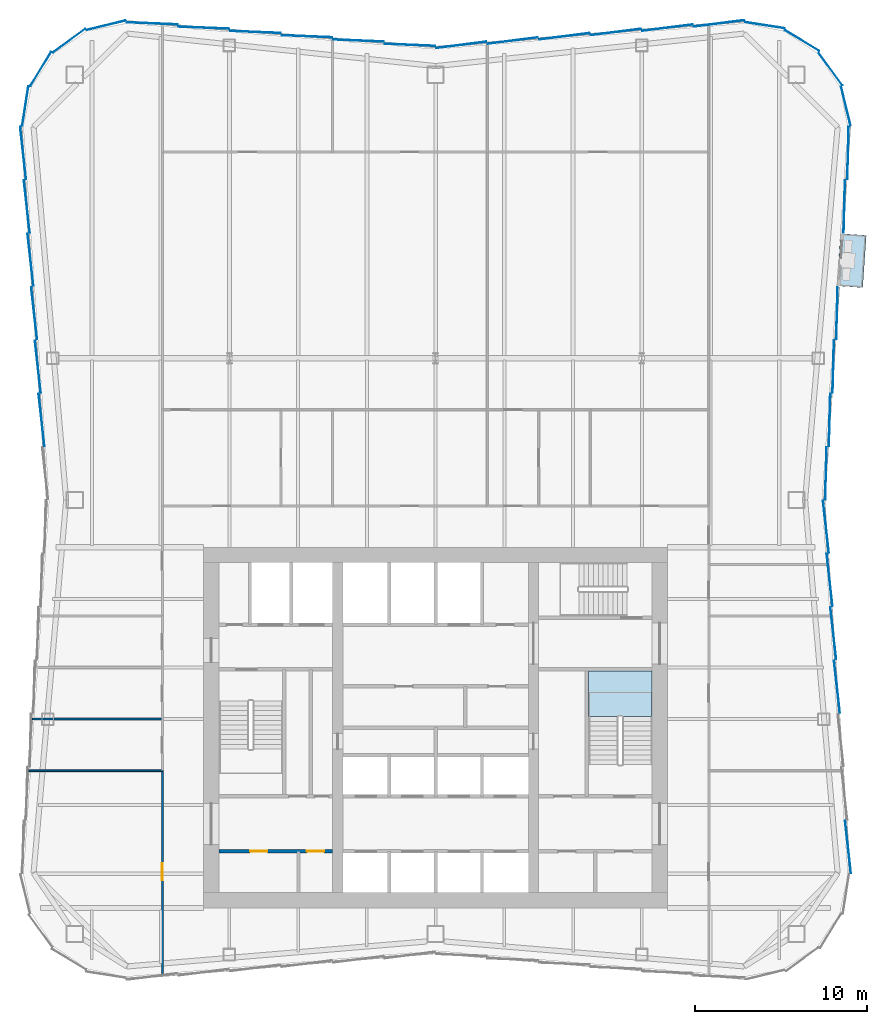
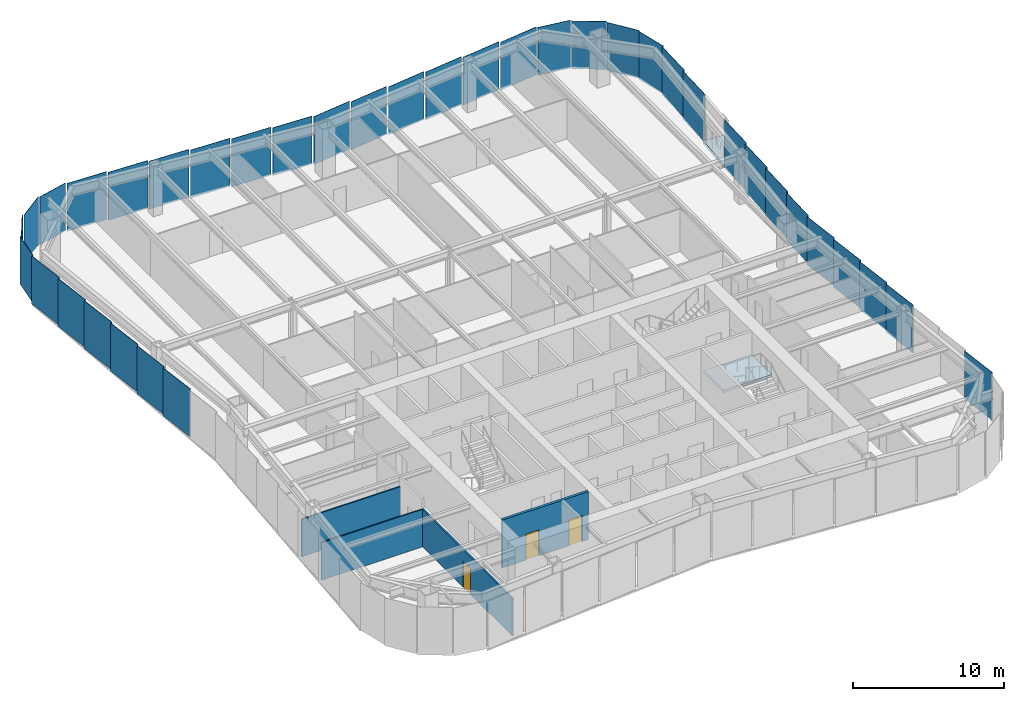
# One storey, part 4 of 10: 37 plates, 4 walls, 3 doors, 2 slabs, 3 openings, 6 elements without a shape of their own.
"""IFC4 building model written with IfcOpenShell, lengths in metres."""

from ifc_helpers import new_model, si_unit, direction, frame, frame_2d, origin, origin_2d, place, context, subcontext, project, spatial, polyline, rectangle, outline, extrude, material, layer, layer_set, type_object, element, fill, aggregate, save


model = new_model("IFC4")

# Units and contexts
model_context = context("Model", 3, precision=1e-05, world=origin(), true_north=direction((0.0, 1.0)))
body_context = subcontext(model_context, "Body", "Model", "MODEL_VIEW")
ifc_project = project(units=[si_unit("LENGTHUNIT", "METRE"), si_unit("AREAUNIT", "SQUARE_METRE"), si_unit("VOLUMEUNIT", "CUBIC_METRE"), si_unit("PLANEANGLEUNIT", "RADIAN"), si_unit("MASSUNIT", "GRAM", prefix="KILO")], contexts=[model_context])

# Site, building, storey
site_placement = place(None, origin())
site = spatial("IfcSite", under=ifc_project, at=site_placement, CompositionType="ELEMENT")
building_placement = place(site_placement, origin())
building = spatial("IfcBuilding", under=site, at=building_placement, Name="Verdant Reach Tower", CompositionType="ELEMENT")
storey_placement = place(building_placement, frame((0.0, 0.0, 186.0)))
storey = spatial("IfcBuildingStorey", under=building, at=storey_placement, Name="L42", CompositionType="ELEMENT", Elevation=186.0)

# Stair, slab
ifc_material_1 = material(Name="Concrete C40/50", Category="concrete")
stair_type = type_object("IfcStairType", Name="CO-STAIR", PredefinedType="HALF_TURN_STAIR", material=ifc_material_1)
stair_placement = place(storey_placement, origin())
stair = element("IfcStair", 1, at=stair_placement, inside=storey, type_object=stair_type, Name="L42 Exit stair 2", PredefinedType="HALF_TURN_STAIR")
ifc_layer_1 = layer(ifc_material_1, 0.199951171875)
ifc_layer_set_1 = layer_set([ifc_layer_1], Name="CO-STAIR-LANDING")
slab_type_1 = type_object("IfcSlabType", Name="CO-STAIR-LANDING", PredefinedType="LANDING", material=ifc_layer_set_1)
slab_1_placement = place(storey_placement, frame((0.0, 0.0, 1.800048828125)))
slab_1 = element("IfcSlab", 2, at=slab_1_placement, type_object=slab_type_1, Name="ST-2 landing 1", PredefinedType="LANDING", context=body_context, shape_type="SweptSolid", body=[
    extrude(outline(polyline([(12.60009765625, 28.64990234375), (12.60009765625, 31.300048828125), (8.89990234375, 31.300048828125), (8.89990234375, 28.64990234375), (12.60009765625, 28.64990234375)])), origin(), (0.0, 0.0, 1.0), 0.199951171875),
])
aggregate(stair, [slab_1])

# Slab
ifc_material_2 = material(Name="Concrete C35/45", Category="concrete")
ifc_layer_2 = layer(ifc_material_2, 0.25)
ifc_layer_set_2 = layer_set([ifc_layer_2], Name="EN-BALCONY SLAB")
slab_type_2 = type_object("IfcSlabType", Name="EN-BALCONY SLAB", PredefinedType="FLOOR", material=ifc_layer_set_2)
slab_2_placement = place(storey_placement, frame((0.0, 0.0, -0.25)))
element("IfcSlab", 3, at=slab_2_placement, inside=storey, type_object=slab_type_2, Name="Balcony slab 1, L42", PredefinedType="FLOOR", context=body_context, shape_type="SweptSolid", body=[
    extrude(outline(polyline([(23.359375, 53.71142578125), (23.569091796875, 56.752685546875), (25.065673828125, 56.649658203125), (24.85595703125, 53.6083984375), (23.359375, 53.71142578125)])), origin(), (0.0, 0.0, 1.0), 0.25),
])

# Curtain wall, plates
ifc_material_3 = material(Name="Anodised aluminium", Category="aluminium")
curtain_wall_type = type_object("IfcCurtainWallType", Name="EN-CW SYSTEM Z3", PredefinedType="NOTDEFINED", material=ifc_material_3)
curtain_wall_1_placement = place(storey_placement, origin())
curtain_wall_1 = element("IfcCurtainWall", 4, at=curtain_wall_1_placement, inside=storey, type_object=curtain_wall_type, Name="Curtain wall east, L42", PredefinedType="NOTDEFINED")
ifc_material_4 = material(Name="Tinted glass with champagne spandrel", Category="glass")
ifc_layer_3 = layer(ifc_material_4, 0.031982421875)
ifc_layer_set_3 = layer_set([ifc_layer_3], Name="EN-PANEL CHAMPAGNE")
plate_type_1 = type_object("IfcPlateType", Name="EN-PANEL CHAMPAGNE", PredefinedType="CURTAIN_PANEL", material=ifc_layer_set_3)
plate_1_placement = place(storey_placement, frame((24.001708984375, 21.053955078125, -0.22412109375), z_axis=(0.0, 0.0, 1.0), x_axis=(-0.110214229533, 0.993907854687, 0.0)))
plate_1 = element("IfcPlate", 5, at=plate_1_placement, type_object=plate_type_1, Name="Glass panel east face part 1 1.1, L42", PredefinedType="CURTAIN_PANEL", context=body_context, shape_type="SweptSolid", body=[
    extrude(rectangle(XDim=3.06689453125, YDim=0.031982421875, at=origin_2d()), origin(), (0.0, 0.0, 1.0), 3.8740234375),
])
plate_2_placement = place(storey_placement, frame((22.716064453125, 39.7001953125, -0.22412109375), z_axis=(0.0, 0.0, 1.0), x_axis=(-0.110600785385, 0.993864913493, 0.0)))
plate_2 = element("IfcPlate", 6, at=plate_2_placement, type_object=plate_type_1, Name="Glass panel east face part 1 7.1, L42", PredefinedType="CURTAIN_PANEL", context=body_context, shape_type="SweptSolid", body=[
    extrude(rectangle(XDim=3.044921875, YDim=0.031982421875, at=origin_2d()), origin(), (0.0, 0.0, 1.0), 3.8740234375),
])
plate_3_placement = place(storey_placement, frame((22.716064453125, 42.7998046875, -0.22412109375), z_axis=(0.0, 0.0, 1.0), x_axis=(0.027048420339, 0.999634124546, 0.0)))
plate_3 = element("IfcPlate", 7, at=plate_3_placement, type_object=plate_type_1, Name="Glass panel east face part 2 1.1, L42", PredefinedType="CURTAIN_PANEL", context=body_context, shape_type="SweptSolid", body=[
    extrude(rectangle(XDim=3.044921875, YDim=0.031982421875, at=origin_2d()), origin(), (0.0, 0.0, 1.0), 3.8740234375),
])
plate_4_placement = place(storey_placement, frame((22.93017578125, 45.9033203125, -0.22412109375), z_axis=(0.0, 0.0, 1.0), x_axis=(0.026965318308, 0.999636369691, 0.0)))
plate_4 = element("IfcPlate", 8, at=plate_4_placement, type_object=plate_type_1, Name="Glass panel east face part 2 2.1, L42", PredefinedType="CURTAIN_PANEL", context=body_context, shape_type="SweptSolid", body=[
    extrude(rectangle(XDim=3.052490234375, YDim=0.031982421875, at=origin_2d()), origin(), (0.0, 0.0, 1.0), 3.8740234375),
])

# Curtain wall, plate
curtain_wall_2_placement = place(storey_placement, origin())
curtain_wall_2 = element("IfcCurtainWall", 9, at=curtain_wall_2_placement, inside=storey, type_object=curtain_wall_type, Name="Curtain wall north-east corner, L42", PredefinedType="NOTDEFINED")
plate_5_placement = place(storey_placement, frame((23.87646484375, 64.17236328125, -0.22412109375), z_axis=(0.0, 0.0, 1.0), x_axis=(-0.23644624331, 0.97164457186, 0.0)))
plate_5 = element("IfcPlate", 10, at=plate_5_placement, type_object=plate_type_1, Name="Glass panel north-east corner 1.1, L42", PredefinedType="CURTAIN_PANEL", context=body_context, shape_type="SweptSolid", body=[
    extrude(rectangle(XDim=2.314697265625, YDim=0.031982421875, at=origin_2d()), origin(), (0.0, 0.0, 1.0), 3.8740234375),
])

# Curtain wall, plates
curtain_wall_3_placement = place(storey_placement, origin())
curtain_wall_3 = element("IfcCurtainWall", 11, at=curtain_wall_3_placement, inside=storey, type_object=curtain_wall_type, Name="Curtain wall north, L42", PredefinedType="NOTDEFINED")
plate_6_placement = place(storey_placement, frame((4.490966796875, 67.983642578125, -0.22412109375), z_axis=(0.0, 0.0, 1.0), x_axis=(-0.992194034542, -0.124703639961, 0.0)))
plate_6 = element("IfcPlate", 12, at=plate_6_placement, type_object=plate_type_1, Name="Glass panel north face part 1 5.1, L42", PredefinedType="CURTAIN_PANEL", context=body_context, shape_type="SweptSolid", body=[
    extrude(rectangle(XDim=2.948486328125, YDim=0.031982421875, at=origin_2d()), origin(), (0.0, 0.0, 1.0), 3.8740234375),
])
plate_7_placement = place(storey_placement, frame((1.495361328125, 67.73388671875, -0.22412109375), z_axis=(0.0, 0.0, 1.0), x_axis=(-0.992178382939, -0.124828107529, 0.0)))
plate_7 = element("IfcPlate", 13, at=plate_7_placement, type_object=plate_type_1, Name="Glass panel north face part 1 6.1, L42", PredefinedType="CURTAIN_PANEL", context=body_context, shape_type="SweptSolid", body=[
    extrude(rectangle(XDim=2.939453125, YDim=0.031982421875, at=origin_2d()), origin(), (0.0, 0.0, 1.0), 3.8740234375),
])
plate_8_placement = place(storey_placement, frame((-16.49853515625, 68.983642578125, -0.22412109375), z_axis=(0.0, 0.0, 1.0), x_axis=(-0.999163623568, 0.040890748818, 0.0)))
plate_8 = element("IfcPlate", 14, at=plate_8_placement, type_object=plate_type_1, Name="Glass panel north face part 2 6.1, L42", PredefinedType="CURTAIN_PANEL", context=body_context, shape_type="SweptSolid", body=[
    extrude(rectangle(XDim=2.963623046875, YDim=0.031982421875, at=origin_2d()), origin(), (0.0, 0.0, 1.0), 3.8740234375),
])

curtain_wall_4_placement = place(storey_placement, origin())
curtain_wall_4 = element("IfcCurtainWall", 15, at=curtain_wall_4_placement, inside=storey, type_object=curtain_wall_type, Name="Curtain wall west, L42", PredefinedType="NOTDEFINED")
plate_9_placement = place(storey_placement, frame((-23.572998046875, 55.224609375, -0.22412109375), z_axis=(0.0, 0.0, 1.0), x_axis=(0.110518162674, -0.993874104562, 0.0)))
plate_9 = element("IfcPlate", 16, at=plate_9_placement, type_object=plate_type_1, Name="Glass panel west face part 1 3.1, L42", PredefinedType="CURTAIN_PANEL", context=body_context, shape_type="SweptSolid", body=[
    extrude(rectangle(XDim=3.052490234375, YDim=0.031982421875, at=origin_2d()), origin(), (0.0, 0.0, 1.0), 3.8740234375),
])
plate_10_placement = place(storey_placement, frame((-23.358642578125, 52.117431640625, -0.22412109375), z_axis=(0.0, 0.0, 1.0), x_axis=(0.110518162674, -0.993874104562, 0.0)))
plate_10 = element("IfcPlate", 17, at=plate_10_placement, type_object=plate_type_1, Name="Glass panel west face part 1 4.1, L42", PredefinedType="CURTAIN_PANEL", context=body_context, shape_type="SweptSolid", body=[
    extrude(rectangle(XDim=3.052490234375, YDim=0.031982421875, at=origin_2d()), origin(), (0.0, 0.0, 1.0), 3.8740234375),
])
plate_11_placement = place(storey_placement, frame((-23.14453125, 49.01025390625, -0.22412109375), z_axis=(0.0, 0.0, 1.0), x_axis=(0.110518162674, -0.993874104562, 0.0)))
plate_11 = element("IfcPlate", 18, at=plate_11_placement, type_object=plate_type_1, Name="Glass panel west face part 1 5.1, L42", PredefinedType="CURTAIN_PANEL", context=body_context, shape_type="SweptSolid", body=[
    extrude(rectangle(XDim=3.052490234375, YDim=0.031982421875, at=origin_2d()), origin(), (0.0, 0.0, 1.0), 3.8740234375),
])

# Plate
ifc_material_5 = material(Name="Tinted glass with copper spandrel", Category="glass")
ifc_layer_4 = layer(ifc_material_5, 0.031982421875)
ifc_layer_set_4 = layer_set([ifc_layer_4], Name="EN-PANEL COPPER")
plate_type_2 = type_object("IfcPlateType", Name="EN-PANEL COPPER", PredefinedType="CURTAIN_PANEL", material=ifc_layer_set_4)
plate_12_placement = place(storey_placement, frame((23.14453125, 49.01025390625, -0.22412109375), z_axis=(0.0, 0.0, 1.0), x_axis=(0.026965318308, 0.999636369691, 0.0)))
plate_12 = element("IfcPlate", 19, at=plate_12_placement, type_object=plate_type_2, Name="Glass panel east face part 2 3.1, L42", PredefinedType="CURTAIN_PANEL", context=body_context, shape_type="SweptSolid", body=[
    extrude(rectangle(XDim=3.052490234375, YDim=0.031982421875, at=origin_2d()), origin(), (0.0, 0.0, 1.0), 3.8740234375),
])

plate_13_placement = place(storey_placement, frame((23.358642578125, 52.117431640625, -0.22412109375), z_axis=(0.0, 0.0, 1.0), x_axis=(0.026965318308, 0.999636369691, 0.0)))
plate_13 = element("IfcPlate", 20, at=plate_13_placement, type_object=plate_type_2, Name="Glass panel east face part 2 4.1, L42", PredefinedType="CURTAIN_PANEL", context=body_context, shape_type="SweptSolid", body=[
    extrude(rectangle(XDim=3.052490234375, YDim=0.031982421875, at=origin_2d()), origin(), (0.0, 0.0, 1.0), 3.8740234375),
])

plate_14_placement = place(storey_placement, frame((22.98193359375, 66.328857421875, -0.22412109375), z_axis=(0.0, 0.0, 1.0), x_axis=(-0.589926747542, 0.807456768214, 0.0)))
plate_14 = element("IfcPlate", 21, at=plate_14_placement, type_object=plate_type_2, Name="Glass panel north-east corner 2.1, L42", PredefinedType="CURTAIN_PANEL", context=body_context, shape_type="SweptSolid", body=[
    extrude(rectangle(XDim=2.321533203125, YDim=0.031982421875, at=origin_2d()), origin(), (0.0, 0.0, 1.0), 3.8740234375),
])

plate_15_placement = place(storey_placement, frame((21.328857421875, 67.98193359375, -0.22412109375), z_axis=(0.0, 0.0, 1.0), x_axis=(-0.853988701636, 0.520291550457, 0.0)))
plate_15 = element("IfcPlate", 22, at=plate_15_placement, type_object=plate_type_2, Name="Glass panel north-east corner 3.1, L42", PredefinedType="CURTAIN_PANEL", context=body_context, shape_type="SweptSolid", body=[
    extrude(rectangle(XDim=2.321533203125, YDim=0.031982421875, at=origin_2d()), origin(), (0.0, 0.0, 1.0), 3.8740234375),
])

plate_16_placement = place(storey_placement, frame((16.49853515625, 68.983642578125, -0.22412109375), z_axis=(0.0, 0.0, 1.0), x_axis=(-0.992237766434, -0.124355196363, 0.0)))
plate_16 = element("IfcPlate", 23, at=plate_16_placement, type_object=plate_type_2, Name="Glass panel north face part 1 1.1, L42", PredefinedType="CURTAIN_PANEL", context=body_context, shape_type="SweptSolid", body=[
    extrude(rectangle(XDim=2.963623046875, YDim=0.031982421875, at=origin_2d()), origin(), (0.0, 0.0, 1.0), 3.8740234375),
])

plate_17_placement = place(storey_placement, frame((-1.495361328125, 67.73388671875, -0.22412109375), z_axis=(0.0, 0.0, 1.0), x_axis=(-0.999144020525, 0.041366970501, 0.0)))
plate_17 = element("IfcPlate", 24, at=plate_17_placement, type_object=plate_type_2, Name="Glass panel north face part 2 1.1, L42", PredefinedType="CURTAIN_PANEL", context=body_context, shape_type="SweptSolid", body=[
    extrude(rectangle(XDim=2.939453125, YDim=0.031982421875, at=origin_2d()), origin(), (0.0, 0.0, 1.0), 3.8740234375),
])

plate_18_placement = place(storey_placement, frame((-4.490966796875, 67.983642578125, -0.22412109375), z_axis=(0.0, 0.0, 1.0), x_axis=(-0.999149202059, 0.041241629766, 0.0)))
plate_18 = element("IfcPlate", 25, at=plate_18_placement, type_object=plate_type_2, Name="Glass panel north face part 2 2.1, L42", PredefinedType="CURTAIN_PANEL", context=body_context, shape_type="SweptSolid", body=[
    extrude(rectangle(XDim=2.948486328125, YDim=0.031982421875, at=origin_2d()), origin(), (0.0, 0.0, 1.0), 3.8740234375),
])

plate_19_placement = place(storey_placement, frame((-7.490966796875, 68.233642578125, -0.22412109375), z_axis=(0.0, 0.0, 1.0), x_axis=(-0.999149202059, 0.041241629766, 0.0)))
plate_19 = element("IfcPlate", 26, at=plate_19_placement, type_object=plate_type_2, Name="Glass panel north face part 2 3.1, L42", PredefinedType="CURTAIN_PANEL", context=body_context, shape_type="SweptSolid", body=[
    extrude(rectangle(XDim=2.948486328125, YDim=0.031982421875, at=origin_2d()), origin(), (0.0, 0.0, 1.0), 3.8740234375),
])

# Curtain wall, plate
curtain_wall_5_placement = place(storey_placement, origin())
curtain_wall_5 = element("IfcCurtainWall", 27, at=curtain_wall_5_placement, inside=storey, type_object=curtain_wall_type, Name="Curtain wall north-west corner, L42", PredefinedType="NOTDEFINED")
plate_20_placement = place(storey_placement, frame((-19.171875, 68.87646484375, -0.22412109375), z_axis=(0.0, 0.0, 1.0), x_axis=(-0.971655117833, -0.236402901821, 0.0)))
plate_20 = element("IfcPlate", 28, at=plate_20_placement, type_object=plate_type_2, Name="Glass panel north-west corner 1.1, L42", PredefinedType="CURTAIN_PANEL", context=body_context, shape_type="SweptSolid", body=[
    extrude(rectangle(XDim=2.3154296875, YDim=0.031982421875, at=origin_2d()), origin(), (0.0, 0.0, 1.0), 3.8740234375),
])

# Plate
plate_21_placement = place(storey_placement, frame((-22.93017578125, 45.9033203125, -0.22412109375), z_axis=(0.0, 0.0, 1.0), x_axis=(0.110518162674, -0.993874104562, 0.0)))
plate_21 = element("IfcPlate", 29, at=plate_21_placement, type_object=plate_type_2, Name="Glass panel west face part 1 6.1, L42", PredefinedType="CURTAIN_PANEL", context=body_context, shape_type="SweptSolid", body=[
    extrude(rectangle(XDim=3.052490234375, YDim=0.031982421875, at=origin_2d()), origin(), (0.0, 0.0, 1.0), 3.8740234375),
])

ifc_material_6 = material(Name="Tinted glass with dark bronze spandrel", Category="glass")
ifc_layer_5 = layer(ifc_material_6, 0.031982421875)
ifc_layer_set_5 = layer_set([ifc_layer_5], Name="EN-PANEL DARK")
plate_type_3 = type_object("IfcPlateType", Name="EN-PANEL DARK", PredefinedType="CURTAIN_PANEL", material=ifc_layer_set_5)
plate_22_placement = place(storey_placement, frame((23.358642578125, 30.382568359375, -0.22412109375), z_axis=(0.0, 0.0, 1.0), x_axis=(-0.110518162674, 0.993874104562, 0.0)))
plate_22 = element("IfcPlate", 30, at=plate_22_placement, type_object=plate_type_3, Name="Glass panel east face part 1 4.1, L42", PredefinedType="CURTAIN_PANEL", context=body_context, shape_type="SweptSolid", body=[
    extrude(rectangle(XDim=3.052490234375, YDim=0.031982421875, at=origin_2d()), origin(), (0.0, 0.0, 1.0), 3.8740234375),
])

plate_23_placement = place(storey_placement, frame((23.14453125, 33.48974609375, -0.22412109375), z_axis=(0.0, 0.0, 1.0), x_axis=(-0.110518162674, 0.993874104562, 0.0)))
plate_23 = element("IfcPlate", 31, at=plate_23_placement, type_object=plate_type_3, Name="Glass panel east face part 1 5.1, L42", PredefinedType="CURTAIN_PANEL", context=body_context, shape_type="SweptSolid", body=[
    extrude(rectangle(XDim=3.052490234375, YDim=0.031982421875, at=origin_2d()), origin(), (0.0, 0.0, 1.0), 3.8740234375),
])

plate_24_placement = place(storey_placement, frame((22.93017578125, 36.5966796875, -0.22412109375), z_axis=(0.0, 0.0, 1.0), x_axis=(-0.110518162674, 0.993874104562, 0.0)))
plate_24 = element("IfcPlate", 32, at=plate_24_placement, type_object=plate_type_3, Name="Glass panel east face part 1 6.1, L42", PredefinedType="CURTAIN_PANEL", context=body_context, shape_type="SweptSolid", body=[
    extrude(rectangle(XDim=3.052490234375, YDim=0.031982421875, at=origin_2d()), origin(), (0.0, 0.0, 1.0), 3.8740234375),
])

plate_25_placement = place(storey_placement, frame((23.787353515625, 58.331787109375, -0.22412109375), z_axis=(0.0, 0.0, 1.0), x_axis=(0.026965318308, 0.999636369691, 0.0)))
plate_25 = element("IfcPlate", 33, at=plate_25_placement, type_object=plate_type_3, Name="Glass panel east face part 2 6.1, L42", PredefinedType="CURTAIN_PANEL", context=body_context, shape_type="SweptSolid", body=[
    extrude(rectangle(XDim=3.052490234375, YDim=0.031982421875, at=origin_2d()), origin(), (0.0, 0.0, 1.0), 3.8740234375),
])

plate_26_placement = place(storey_placement, frame((24.001708984375, 61.446044921875, -0.22412109375), z_axis=(0.0, 0.0, 1.0), x_axis=(0.026659626966, 0.999644568979, 0.0)))
plate_26 = element("IfcPlate", 34, at=plate_26_placement, type_object=plate_type_3, Name="Glass panel east face part 2 7.1, L42", PredefinedType="CURTAIN_PANEL", context=body_context, shape_type="SweptSolid", body=[
    extrude(rectangle(XDim=3.06689453125, YDim=0.031982421875, at=origin_2d()), origin(), (0.0, 0.0, 1.0), 3.8740234375),
])

aggregate(curtain_wall_1, [plate_1, plate_22, plate_23, plate_24, plate_2, plate_3, plate_4, plate_12, plate_13, plate_25, plate_26])

plate_27_placement = place(storey_placement, frame((19.171875, 68.87646484375, -0.22412109375), z_axis=(0.0, 0.0, 1.0), x_axis=(-0.988029071555, 0.154267798848, 0.0)))
plate_27 = element("IfcPlate", 35, at=plate_27_placement, type_object=plate_type_3, Name="Glass panel north-east corner 4.1, L42", PredefinedType="CURTAIN_PANEL", context=body_context, shape_type="SweptSolid", body=[
    extrude(rectangle(XDim=2.3154296875, YDim=0.031982421875, at=origin_2d()), origin(), (0.0, 0.0, 1.0), 3.8740234375),
])

aggregate(curtain_wall_2, [plate_5, plate_14, plate_15, plate_27])

plate_28_placement = place(storey_placement, frame((13.490966796875, 68.733642578125, -0.22412109375), z_axis=(0.0, 0.0, 1.0), x_axis=(-0.992194034542, -0.124703639961, 0.0)))
plate_28 = element("IfcPlate", 36, at=plate_28_placement, type_object=plate_type_3, Name="Glass panel north face part 1 2.1, L42", PredefinedType="CURTAIN_PANEL", context=body_context, shape_type="SweptSolid", body=[
    extrude(rectangle(XDim=2.948486328125, YDim=0.031982421875, at=origin_2d()), origin(), (0.0, 0.0, 1.0), 3.8740234375),
])

plate_29_placement = place(storey_placement, frame((10.490966796875, 68.483642578125, -0.22412109375), z_axis=(0.0, 0.0, 1.0), x_axis=(-0.992194034542, -0.124703639961, 0.0)))
plate_29 = element("IfcPlate", 37, at=plate_29_placement, type_object=plate_type_3, Name="Glass panel north face part 1 3.1, L42", PredefinedType="CURTAIN_PANEL", context=body_context, shape_type="SweptSolid", body=[
    extrude(rectangle(XDim=2.948486328125, YDim=0.031982421875, at=origin_2d()), origin(), (0.0, 0.0, 1.0), 3.8740234375),
])

plate_30_placement = place(storey_placement, frame((7.490966796875, 68.233642578125, -0.22412109375), z_axis=(0.0, 0.0, 1.0), x_axis=(-0.992194034542, -0.124703639961, 0.0)))
plate_30 = element("IfcPlate", 38, at=plate_30_placement, type_object=plate_type_3, Name="Glass panel north face part 1 4.1, L42", PredefinedType="CURTAIN_PANEL", context=body_context, shape_type="SweptSolid", body=[
    extrude(rectangle(XDim=2.948486328125, YDim=0.031982421875, at=origin_2d()), origin(), (0.0, 0.0, 1.0), 3.8740234375),
])

plate_31_placement = place(storey_placement, frame((-10.490966796875, 68.483642578125, -0.22412109375), z_axis=(0.0, 0.0, 1.0), x_axis=(-0.999149202059, 0.041241629766, 0.0)))
plate_31 = element("IfcPlate", 39, at=plate_31_placement, type_object=plate_type_3, Name="Glass panel north face part 2 4.1, L42", PredefinedType="CURTAIN_PANEL", context=body_context, shape_type="SweptSolid", body=[
    extrude(rectangle(XDim=2.948486328125, YDim=0.031982421875, at=origin_2d()), origin(), (0.0, 0.0, 1.0), 3.8740234375),
])

plate_32_placement = place(storey_placement, frame((-13.490966796875, 68.733642578125, -0.22412109375), z_axis=(0.0, 0.0, 1.0), x_axis=(-0.999149202059, 0.041241629766, 0.0)))
plate_32 = element("IfcPlate", 40, at=plate_32_placement, type_object=plate_type_3, Name="Glass panel north face part 2 5.1, L42", PredefinedType="CURTAIN_PANEL", context=body_context, shape_type="SweptSolid", body=[
    extrude(rectangle(XDim=2.948486328125, YDim=0.031982421875, at=origin_2d()), origin(), (0.0, 0.0, 1.0), 3.8740234375),
])

aggregate(curtain_wall_3, [plate_16, plate_28, plate_29, plate_30, plate_6, plate_7, plate_17, plate_18, plate_19, plate_31, plate_32, plate_8])

plate_33_placement = place(storey_placement, frame((-21.328857421875, 67.98193359375, -0.22412109375), z_axis=(0.0, 0.0, 1.0), x_axis=(-0.807456768214, -0.589926747542, 0.0)))
plate_33 = element("IfcPlate", 41, at=plate_33_placement, type_object=plate_type_3, Name="Glass panel north-west corner 2.1, L42", PredefinedType="CURTAIN_PANEL", context=body_context, shape_type="SweptSolid", body=[
    extrude(rectangle(XDim=2.321533203125, YDim=0.031982421875, at=origin_2d()), origin(), (0.0, 0.0, 1.0), 3.8740234375),
])

plate_34_placement = place(storey_placement, frame((-22.98193359375, 66.328857421875, -0.22412109375), z_axis=(0.0, 0.0, 1.0), x_axis=(-0.520291550457, -0.853988701636, 0.0)))
plate_34 = element("IfcPlate", 42, at=plate_34_placement, type_object=plate_type_3, Name="Glass panel north-west corner 3.1, L42", PredefinedType="CURTAIN_PANEL", context=body_context, shape_type="SweptSolid", body=[
    extrude(rectangle(XDim=2.321533203125, YDim=0.031982421875, at=origin_2d()), origin(), (0.0, 0.0, 1.0), 3.8740234375),
])

plate_35_placement = place(storey_placement, frame((-23.87646484375, 64.17236328125, -0.22412109375), z_axis=(0.0, 0.0, 1.0), x_axis=(-0.154311870796, -0.988022189291, 0.0)))
plate_35 = element("IfcPlate", 43, at=plate_35_placement, type_object=plate_type_3, Name="Glass panel north-west corner 4.1, L42", PredefinedType="CURTAIN_PANEL", context=body_context, shape_type="SweptSolid", body=[
    extrude(rectangle(XDim=2.314697265625, YDim=0.031982421875, at=origin_2d()), origin(), (0.0, 0.0, 1.0), 3.8740234375),
])

aggregate(curtain_wall_5, [plate_20, plate_33, plate_34, plate_35])

plate_36_placement = place(storey_placement, frame((-24.001708984375, 61.446044921875, -0.22412109375), z_axis=(0.0, 0.0, 1.0), x_axis=(0.110214229533, -0.993907854687, 0.0)))
plate_36 = element("IfcPlate", 44, at=plate_36_placement, type_object=plate_type_3, Name="Glass panel west face part 1 1.1, L42", PredefinedType="CURTAIN_PANEL", context=body_context, shape_type="SweptSolid", body=[
    extrude(rectangle(XDim=3.06689453125, YDim=0.031982421875, at=origin_2d()), origin(), (0.0, 0.0, 1.0), 3.8740234375),
])

plate_37_placement = place(storey_placement, frame((-23.787353515625, 58.331787109375, -0.22412109375), z_axis=(0.0, 0.0, 1.0), x_axis=(0.110518162674, -0.993874104562, 0.0)))
plate_37 = element("IfcPlate", 45, at=plate_37_placement, type_object=plate_type_3, Name="Glass panel west face part 1 2.1, L42", PredefinedType="CURTAIN_PANEL", context=body_context, shape_type="SweptSolid", body=[
    extrude(rectangle(XDim=3.052490234375, YDim=0.031982421875, at=origin_2d()), origin(), (0.0, 0.0, 1.0), 3.8740234375),
])

aggregate(curtain_wall_4, [plate_36, plate_37, plate_9, plate_10, plate_11, plate_21])

# Wall, openings, doors
ifc_material_7 = material(Name="Gypsum board on steel studs", Category="steel")
ifc_layer_6 = layer(ifc_material_7, 0.199951171875)
ifc_layer_set_6 = layer_set([ifc_layer_6], Name="CO-WALL-ROOM")
wall_type_1 = type_object("IfcWallType", Name="CO-WALL-ROOM", PredefinedType="PARTITIONING", material=ifc_layer_set_6)
wall_1_placement = place(storey_placement, frame((-12.60009765625, 20.800048828125, 0.0), z_axis=(0.0, 0.0, 1.0), x_axis=(1.0, 0.0, 0.0)))
wall_1 = element("IfcWall", 46, at=wall_1_placement, inside=storey, type_object=wall_type_1, Name="Core partition, L42", PredefinedType="PARTITIONING", context=body_context, shape_type="SweptSolid", body=[
    extrude(rectangle(XDim=6.60009765625, YDim=0.199951171875, at=frame_2d((3.300048828125, 0.0))), origin(), (0.0, 0.0, 1.0), 3.8701171875),
])
opening_1_placement = place(wall_1_placement, frame((1.81005859375, 0.0, 0.0)))
opening_1 = element("IfcOpeningElement", 47, at=opening_1_placement, cuts=wall_1, Name="Opening CD", PredefinedType="OPENING", context=body_context, shape_type="SweptSolid", body=[
    extrude(rectangle(XDim=1.0, YDim=2.10009765625, at=frame_2d((0.5, 1.050048828125))), frame((0.0, 0.10986328125, 0.0), z_axis=(0.0, -1.0, 0.0), x_axis=(1.0, 0.0, 0.0)), (0.0, 0.0, 1.0), 0.219970703125),
])
opening_2_placement = place(wall_1_placement, frame((5.110107421875, 0.0, 0.0)))
opening_2 = element("IfcOpeningElement", 48, at=opening_2_placement, cuts=wall_1, Name="Opening CD", PredefinedType="OPENING", context=body_context, shape_type="SweptSolid", body=[
    extrude(rectangle(XDim=1.0, YDim=2.10009765625, at=frame_2d((0.5, 1.050048828125))), frame((0.0, 0.10986328125, 0.0), z_axis=(0.0, -1.0, 0.0), x_axis=(1.0, 0.0, 0.0)), (0.0, 0.0, 1.0), 0.219970703125),
])
ifc_material_8 = material(Name="Timber", Category="wood")
door_type_1 = type_object("IfcDoorType", Name="CO-DOOR-ROOM", OperationType="NOTDEFINED", PredefinedType="DOOR", material=ifc_material_8)
door_1_placement = place(opening_1_placement, origin())
door_1 = element("IfcDoor", 49, at=door_1_placement, inside=storey, type_object=door_type_1, Name="Core room door, L42", OperationType="SINGLE_SWING_LEFT", OverallHeight=2.10009765625, OverallWidth=1.0, PredefinedType="DOOR", context=body_context, shape_type="SweptSolid", body=[
    extrude(rectangle(XDim=1.0, YDim=2.10009765625, at=frame_2d((0.5, 1.050048828125))), frame((0.0, 0.02490234375, 0.0), z_axis=(0.0, -1.0, 0.0), x_axis=(1.0, 0.0, 0.0)), (0.0, 0.0, 1.0), 0.050048828125),
])
fill(opening_1, door_1)
door_2_placement = place(opening_2_placement, origin())
door_2 = element("IfcDoor", 50, at=door_2_placement, inside=storey, type_object=door_type_1, Name="Core room door, L42", OperationType="SINGLE_SWING_LEFT", OverallHeight=2.10009765625, OverallWidth=1.0, PredefinedType="DOOR", context=body_context, shape_type="SweptSolid", body=[
    extrude(rectangle(XDim=1.0, YDim=2.10009765625, at=frame_2d((0.5, 1.050048828125))), frame((0.0, 0.02490234375, 0.0), z_axis=(0.0, -1.0, 0.0), x_axis=(1.0, 0.0, 0.0)), (0.0, 0.0, 1.0), 0.050048828125),
])
fill(opening_2, door_2)

# Walls
ifc_layer_7 = layer(ifc_material_7, 0.10009765625)
ifc_layer_set_7 = layer_set([ifc_layer_7], Name="FL-W1 Partition 100")
wall_type_2 = type_object("IfcWallType", Name="FL-W1 Partition 100", PredefinedType="PARTITIONING", material=ifc_layer_set_7)
wall_2_placement = place(storey_placement, frame((-15.89990234375, 25.5, 0.0), z_axis=(0.0, 0.0, 1.0), x_axis=(-1.0, 0.0, 0.0)))
element("IfcWall", 51, at=wall_2_placement, inside=storey, type_object=wall_type_2, Name="Partition 42.39", PredefinedType="PARTITIONING", context=body_context, shape_type="SweptSolid", body=[
    extrude(rectangle(XDim=7.766357421875, YDim=0.10009765625, at=frame_2d((3.88330078125, 0.0))), origin(), (0.0, 0.0, 1.0), 3.0400390625),
])
wall_3_placement = place(storey_placement, frame((-15.89990234375, 28.5, 0.0), z_axis=(0.0, 0.0, 1.0), x_axis=(-1.0, 0.0, 0.0)))
element("IfcWall", 52, at=wall_3_placement, inside=storey, type_object=wall_type_2, Name="Partition 42.40", PredefinedType="PARTITIONING", context=body_context, shape_type="SweptSolid", body=[
    extrude(rectangle(XDim=7.559326171875, YDim=0.10009765625, at=frame_2d((3.77978515625, 0.0))), origin(), (0.0, 0.0, 1.0), 3.0400390625),
])

# Wall, opening, door
ifc_material_9 = material(Name="Gypsum board on steel studs, fire rated", Category="steel")
ifc_layer_8 = layer(ifc_material_9, 0.125)
ifc_layer_set_8 = layer_set([ifc_layer_8], Name="FL-W2 Corridor wall 125")
wall_type_3 = type_object("IfcWallType", Name="FL-W2 Corridor wall 125", PredefinedType="PARTITIONING", material=ifc_layer_set_8)
wall_4_placement = place(storey_placement, frame((-15.89990234375, 13.594970703125, 0.0), z_axis=(0.0, 0.0, 1.0), x_axis=(0.0, 1.0, 0.0)))
wall_4 = element("IfcWall", 53, at=wall_4_placement, inside=storey, type_object=wall_type_3, Name="Partition 42.07", PredefinedType="PARTITIONING", context=body_context, shape_type="SweptSolid", body=[
    extrude(rectangle(XDim=11.905029296875, YDim=0.125, at=frame_2d((5.95263671875, 0.0))), origin(), (0.0, 0.0, 1.0), 3.0400390625),
])
opening_3_placement = place(wall_4_placement, frame((5.517578125, 0.0, 0.0)))
opening_3 = element("IfcOpeningElement", 54, at=opening_3_placement, cuts=wall_4, Name="Opening D2", PredefinedType="OPENING", context=body_context, shape_type="SweptSolid", body=[
    extrude(rectangle(XDim=1.0, YDim=2.10009765625, at=frame_2d((0.5, 1.050048828125))), frame((0.0, 0.072509765625, 0.0), z_axis=(0.0, -1.0, 0.0), x_axis=(1.0, 0.0, 0.0)), (0.0, 0.0, 1.0), 0.14501953125),
])
ifc_material_10 = material(Name="Timber door leaf, fire rated", Category="wood")
door_type_2 = type_object("IfcDoorType", Name="FL-D2 Entrance door 1000x2100 FD30", OperationType="NOTDEFINED", PredefinedType="DOOR", material=ifc_material_10)
door_3_placement = place(opening_3_placement, origin())
door_3 = element("IfcDoor", 55, at=door_3_placement, inside=storey, type_object=door_type_2, Name="Door 42-005", OperationType="SINGLE_SWING_RIGHT", OverallHeight=2.10009765625, OverallWidth=1.0, PredefinedType="DOOR", context=body_context, shape_type="SweptSolid", body=[
    extrude(rectangle(XDim=1.0, YDim=2.10009765625, at=frame_2d((0.5, 1.050048828125))), frame((0.0, 0.02490234375, 0.0), z_axis=(0.0, -1.0, 0.0), x_axis=(1.0, 0.0, 0.0)), (0.0, 0.0, 1.0), 0.050048828125),
])
fill(opening_3, door_3)

save(model, "model.ifc")
